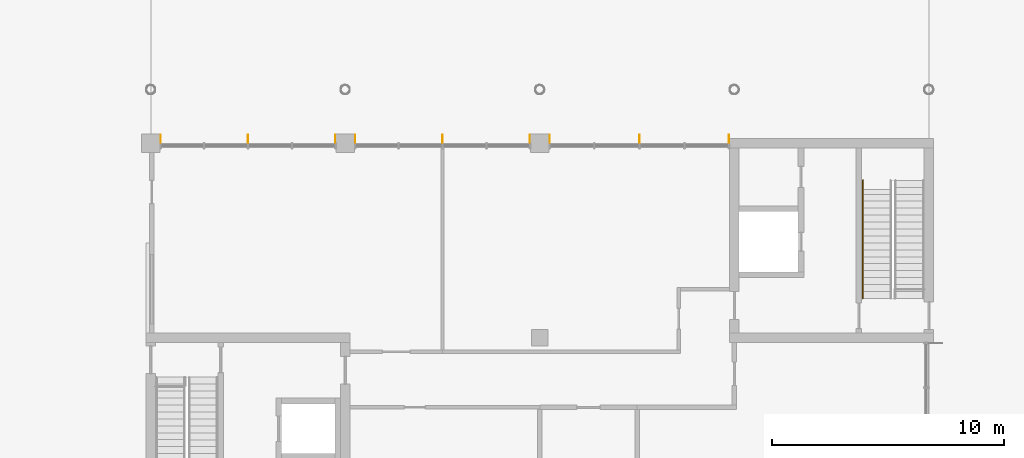
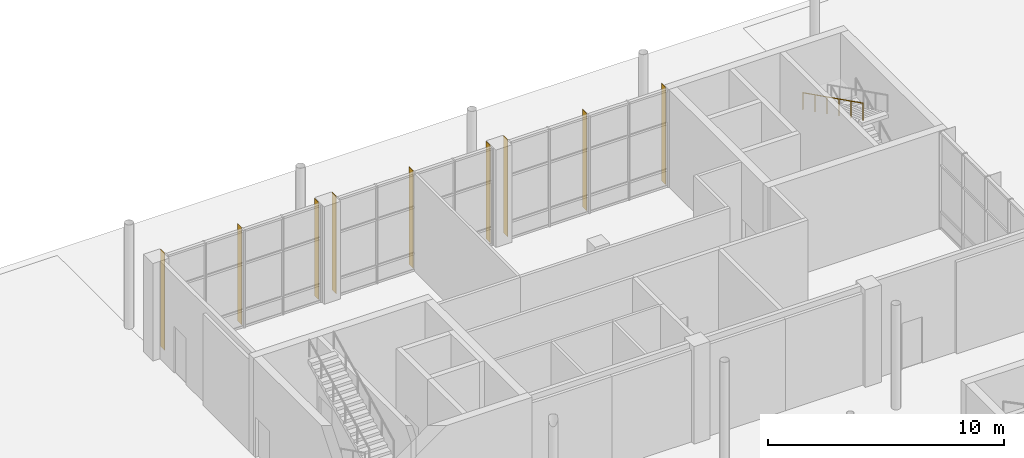
# One storey, part 67 of 76: 9 shading devices, 1 railing.
"""IFC4 building model written with IfcOpenShell, lengths in metres."""

from ifc_helpers import new_model, si_unit, direction, frame, origin, origin_2d, place, context, subcontext, project, spatial, rectangle, circle, extrude, material, layer, layer_set, type_object, element, save


model = new_model("IFC4")

# Units and contexts
model_context = context("Model", 3, precision=1e-05, world=origin(), true_north=direction((0.0, 1.0)))
body_context = subcontext(model_context, "Body", "Model", "MODEL_VIEW")
ifc_project = project(units=[si_unit("LENGTHUNIT", "METRE"), si_unit("AREAUNIT", "SQUARE_METRE"), si_unit("VOLUMEUNIT", "CUBIC_METRE"), si_unit("PLANEANGLEUNIT", "RADIAN"), si_unit("MASSUNIT", "GRAM", prefix="KILO")], contexts=[model_context])

# Site, building, storey
site_placement = place(None, origin())
site = spatial("IfcSite", under=ifc_project, at=site_placement, CompositionType="ELEMENT")
building_placement = place(site_placement, origin())
building = spatial("IfcBuilding", under=site, at=building_placement, Name="Hlaing Beacon Police Headquarters", CompositionType="ELEMENT")
storey_placement = place(building_placement, origin())
storey = spatial("IfcBuildingStorey", under=building, at=storey_placement, Name="L00", CompositionType="ELEMENT", Elevation=0.0)

# Shading devices
ifc_material_1 = material(Name="Aluminium 6063-T5 anodised", Category="aluminium")
ifc_layer = layer(ifc_material_1, 0.011962890625)
ifc_layer_set = layer_set([ifc_layer], Name="Aluminium 6063-T5 anodised")
shading_device_type = type_object("IfcShadingDeviceType", Name="Aluminium fin 12x350", PredefinedType="JALOUSIE", material=ifc_layer_set)
for number, where, z_axis, x_axis, name in (
    (1, (58.570068359375, 92.60009765625, 0.0), (0.0, 0.0, 1.0), (-1.0, 0.0, 0.0), "Fin L00 N023.0"),
    (2, (54.699951171875, 92.60009765625, 0.0), (0.0, 0.0, 1.0), (-1.0, 0.0, 0.0), "Fin L00 N023.2"),
    (3, (50.830078125, 92.60009765625, 0.0), (0.0, 0.0, 1.0), (-1.0, 0.0, 0.0), "Fin L00 N023.4"),
    (4, (49.969970703125, 92.60009765625, 0.0), (0.0, 0.0, 1.0), (-1.0, 0.0, 0.0), "Fin L00 N024.0"),
    (5, (46.199951171875, 92.60009765625, 0.0), (0.0, 0.0, 1.0), (-1.0, 0.0, 0.0), "Fin L00 N024.2"),
    (6, (42.429931640625, 92.60009765625, 0.0), (0.0, 0.0, 1.0), (-1.0, 0.0, 0.0), "Fin L00 N024.4"),
    (7, (41.570068359375, 92.60009765625, 0.0), (0.0, 0.0, 1.0), (-1.0, 0.0, 0.0), "Fin L00 N025.0"),
    (8, (37.800048828125, 92.60009765625, 0.0), (0.0, 0.0, 1.0), (-1.0, 0.0, 0.0), "Fin L00 N025.2"),
    (9, (34.030029296875, 92.60009765625, 0.0), (0.0, 0.0, 1.0), (-1.0, 0.0, 0.0), "Fin L00 N025.4"),
):
    element("IfcShadingDevice", number, at=place(storey_placement, frame(where, z_axis=z_axis, x_axis=x_axis)), inside=storey, type_object=shading_device_type, Name=name, PredefinedType="JALOUSIE", context=body_context, shape_type="SweptSolid", body=[
        extrude(rectangle(XDim=0.011962890625, YDim=0.35009765625, at=origin_2d()), origin(), (0.0, 0.0, 1.0), 5.050048828125),
    ])

# Railing
ifc_material_2 = material(Name="Stainless steel", Category="steel")
railing_type = type_object("IfcRailingType", Name="Stair handrail 900", PredefinedType="HANDRAIL", material=ifc_material_2)
railing_placement = place(storey_placement, frame((64.35009765625, 90.800048828125, 2.85009765625)))
element("IfcRailing", 10, at=railing_placement, inside=storey, type_object=railing_type, Name="Handrail ST-F", PredefinedType="HANDRAIL", context=body_context, shape_type="SweptSolid", body=[
    extrude(circle(Radius=0.02392578125, at=origin_2d()), frame((0.0, 0.0, 0.8759765625), z_axis=(0.0, -0.89444431709, 0.44717934168), x_axis=(1.0, 0.0, 0.0)), (0.0, 0.0, 1.0), 5.701904296875),
    extrude(circle(Radius=0.02099609375, at=origin_2d()), origin(), (0.0, 0.0, 1.0), 0.851806640625),
    extrude(circle(Radius=0.02099609375, at=origin_2d()), frame((0.0, -1.02001953125, 0.510009765625)), (0.0, 0.0, 1.0), 0.851806640625),
    extrude(circle(Radius=0.02099609375, at=origin_2d()), frame((0.0, -2.0400390625, 1.02001953125)), (0.0, 0.0, 1.0), 0.851806640625),
    extrude(circle(Radius=0.02099609375, at=origin_2d()), frame((0.0, -3.06005859375, 1.52978515625)), (0.0, 0.0, 1.0), 0.851806640625),
    extrude(circle(Radius=0.02099609375, at=origin_2d()), frame((0.0, -4.080078125, 2.039794921875)), (0.0, 0.0, 1.0), 0.851806640625),
    extrude(circle(Radius=0.02099609375, at=origin_2d()), frame((0.0, -5.10009765625, 2.5498046875)), (0.0, 0.0, 1.0), 0.851806640625),
])

save(model, "model.ifc")
